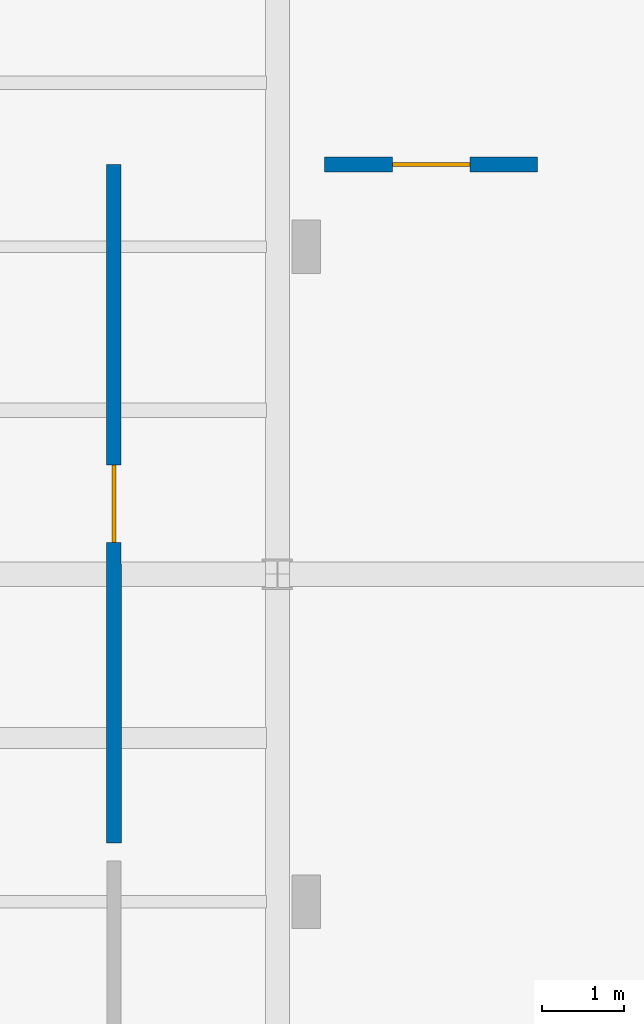
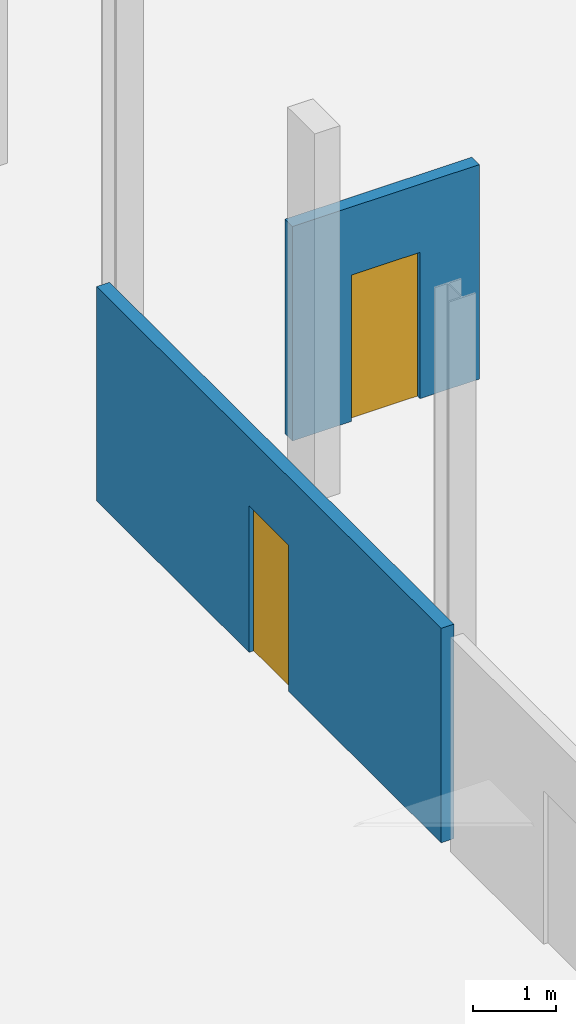
# One storey, part 177 of 189: 2 doors, 2 walls, 2 openings.
"""IFC4 building model written with IfcOpenShell, lengths in metres."""

from ifc_helpers import new_model, si_unit, direction, frame, frame_2d, origin, place, context, subcontext, project, spatial, rectangle, extrude, material, layer, layer_set, type_object, element, fill, save


model = new_model("IFC4")

# Units and contexts
model_context = context("Model", 3, precision=1e-05, world=origin(), true_north=direction((0.0, 1.0)))
body_context = subcontext(model_context, "Body", "Model", "MODEL_VIEW")
ifc_project = project(units=[si_unit("LENGTHUNIT", "METRE"), si_unit("AREAUNIT", "SQUARE_METRE"), si_unit("VOLUMEUNIT", "CUBIC_METRE"), si_unit("PLANEANGLEUNIT", "RADIAN"), si_unit("MASSUNIT", "GRAM", prefix="KILO"), si_unit("THERMODYNAMICTEMPERATUREUNIT", "KELVIN"), si_unit("POWERUNIT", "WATT")], contexts=[model_context])

# Site, building, storey
site_placement = place(None, origin())
site = spatial("IfcSite", under=ifc_project, at=site_placement, CompositionType="ELEMENT")
building_placement = place(site_placement, origin())
building = spatial("IfcBuilding", under=site, at=building_placement, Name="Zelmaris Science Centre", CompositionType="ELEMENT")
storey_placement = place(building_placement, origin())
storey = spatial("IfcBuildingStorey", under=building, at=storey_placement, Name="L00", CompositionType="ELEMENT", Elevation=0.0)

# Wall, opening, door
ifc_material_1 = material(Name="Autoclaved aerated concrete blockwork", Category="masonry")
ifc_layer = layer(ifc_material_1, 0.179931640625, Name="Autoclaved aerated concrete blockwork")
ifc_layer_set = layer_set([ifc_layer], Name="Autoclaved aerated concrete blockwork")
wall_type = type_object("IfcWallType", Name="Interior Wall PT-04 180mm", PredefinedType="PARTITIONING", material=ifc_layer_set)
wall_1_placement = place(storey_placement, frame((142.0048828125, 36.719970703125, 0.0), z_axis=(0.0, 0.0, 1.0), x_axis=(-0.000589709465, 0.999999826121, 0.0)))
wall_1 = element("IfcWall", 1, at=wall_1_placement, inside=storey, type_object=wall_type, Name="L00 Ground Floor Public WC partition 37", PredefinedType="PARTITIONING", context=body_context, shape_type="SweptSolid", body=[
    extrude(rectangle(XDim=8.280029296875, YDim=0.179931640625, at=frame_2d((4.14013671875, 0.0))), origin(), (0.0, 0.0, 1.0), 3.14990234375),
])
opening_1_placement = place(wall_1_placement, frame((3.6650390625, 0.0, 0.0)))
opening_1 = element("IfcOpeningElement", 2, at=opening_1_placement, cuts=wall_1, Name="Opening D-IN2", PredefinedType="OPENING", context=body_context, shape_type="SweptSolid", body=[
    extrude(rectangle(XDim=0.949951171875, YDim=2.14990234375, at=frame_2d((0.47509765625, 1.074951171875))), frame((0.0, 0.099853515625, 0.0), z_axis=(0.0, -1.0, 0.0), x_axis=(1.0, 0.0, 0.0)), (0.0, 0.0, 1.0), 0.199951171875),
])
ifc_material_2 = material(Name="Solid tropical tzalam hardwood", Category="wood")
door_type = type_object("IfcDoorType", Name="Interior Door D-IN2 950x2150", OperationType="NOTDEFINED", PredefinedType="DOOR", material=ifc_material_2)
door_1_placement = place(opening_1_placement, origin())
door_1 = element("IfcDoor", 3, at=door_1_placement, inside=storey, type_object=door_type, Name="L00 Ground Floor Public WC door", OperationType="SINGLE_SWING_RIGHT", OverallHeight=2.14990234375, OverallWidth=0.949951171875, PredefinedType="DOOR", context=body_context, shape_type="SweptSolid", body=[
    extrude(rectangle(XDim=0.949951171875, YDim=2.14990234375, at=frame_2d((0.47509765625, 1.074951171875))), frame((0.0, 0.02490234375, 0.0), z_axis=(0.0, -1.0, 0.0), x_axis=(1.0, 0.0, 0.0)), (0.0, 0.0, 1.0), 0.050048828125),
])
fill(opening_1, door_1)

wall_2_placement = place(storey_placement, frame((147.177490234375, 45.0029296875, 0.0), z_axis=(0.0, 0.0, 1.0), x_axis=(-0.999999929467, -0.000375586828, 0.0)))
wall_2 = element("IfcWall", 4, at=wall_2_placement, inside=storey, type_object=wall_type, Name="L00 Ground Floor Accessible WC entrance partition 39", PredefinedType="PARTITIONING", context=body_context, shape_type="SweptSolid", body=[
    extrude(rectangle(XDim=2.60009765625, YDim=0.179931640625, at=frame_2d((1.300048828125, 0.0))), origin(), (0.0, 0.0, 1.0), 3.14990234375),
])
opening_2_placement = place(wall_2_placement, frame((0.824951171875, 0.0, 0.0)))
opening_2 = element("IfcOpeningElement", 5, at=opening_2_placement, cuts=wall_2, Name="Opening D-IN2", PredefinedType="OPENING", context=body_context, shape_type="SweptSolid", body=[
    extrude(rectangle(XDim=0.949951171875, YDim=2.14990234375, at=frame_2d((0.47509765625, 1.074951171875))), frame((0.0, 0.099853515625, 0.0), z_axis=(0.0, -1.0, 0.0), x_axis=(1.0, 0.0, 0.0)), (0.0, 0.0, 1.0), 0.199951171875),
])
door_2_placement = place(opening_2_placement, origin())
door_2 = element("IfcDoor", 6, at=door_2_placement, inside=storey, type_object=door_type, Name="L00 Ground Floor Accessible WC door", OperationType="SINGLE_SWING_LEFT", OverallHeight=2.14990234375, OverallWidth=0.949951171875, PredefinedType="DOOR", context=body_context, shape_type="SweptSolid", body=[
    extrude(rectangle(XDim=0.949951171875, YDim=2.14990234375, at=frame_2d((0.47509765625, 1.074951171875))), frame((0.0, 0.02490234375, 0.0), z_axis=(0.0, -1.0, 0.0), x_axis=(1.0, 0.0, 0.0)), (0.0, 0.0, 1.0), 0.050048828125),
])
fill(opening_2, door_2)

save(model, "model.ifc")
